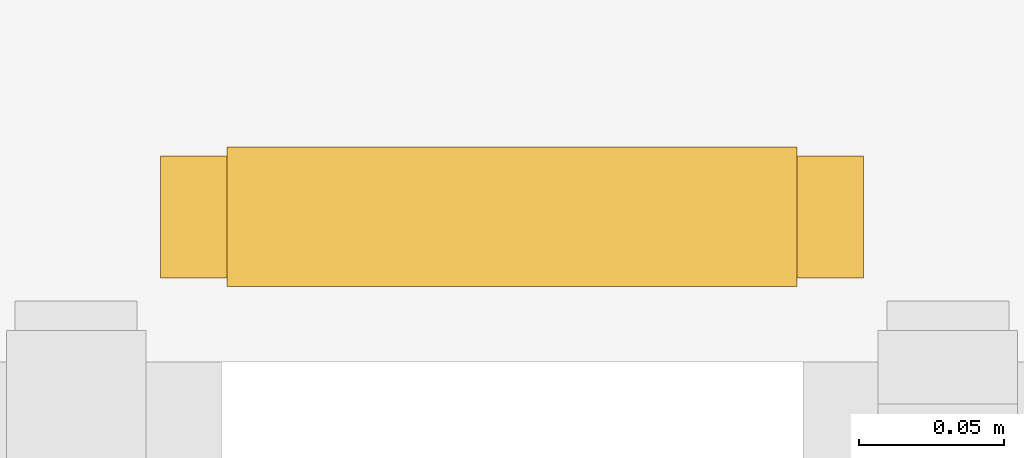
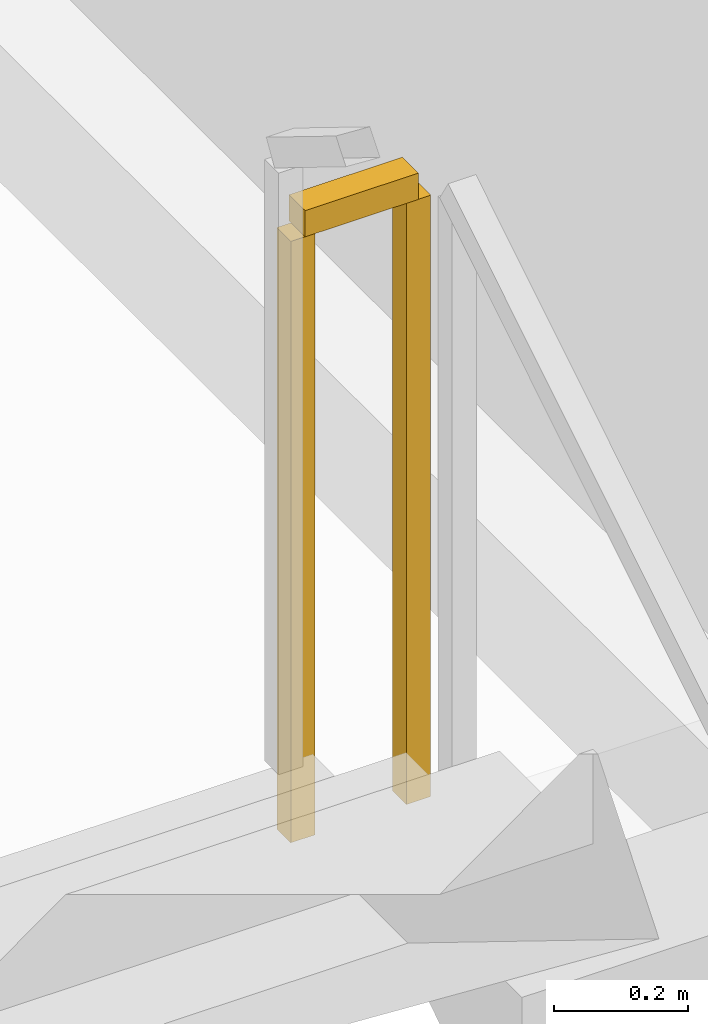
# One storey, part 27 of 27: 1 railing.
"""IFC4 building model written with IfcOpenShell, lengths in metres."""

from ifc_helpers import new_model, si_unit, direction, frame, origin, origin_2d, place, context, subcontext, project, spatial, rectangle, extrude, material, type_object, element, save


model = new_model("IFC4")

# Units and contexts
model_context = context("Model", 3, precision=1e-05, world=origin(), true_north=direction((0.0, 1.0)))
body_context = subcontext(model_context, "Body", "Model", "MODEL_VIEW")
ifc_project = project(units=[si_unit("LENGTHUNIT", "METRE"), si_unit("AREAUNIT", "SQUARE_METRE"), si_unit("VOLUMEUNIT", "CUBIC_METRE"), si_unit("PLANEANGLEUNIT", "RADIAN"), si_unit("MASSUNIT", "GRAM", prefix="KILO")], contexts=[model_context])

# Site, building, storey
site_placement = place(None, origin())
site = spatial("IfcSite", under=ifc_project, at=site_placement, CompositionType="ELEMENT")
building_placement = place(site_placement, origin())
building = spatial("IfcBuilding", under=site, at=building_placement, Name="Zuhravey Tower", CompositionType="ELEMENT")
storey_placement = place(building_placement, frame((0.0, 0.0, 188.39990234375)))
storey = spatial("IfcBuildingStorey", under=building, at=storey_placement, Name="L47", CompositionType="ELEMENT", Elevation=188.39990234375)

# Railing
ifc_material = material(Name="Painted tubular steel", Category="steel")
railing_type = type_object("IfcRailingType", Name="Stair Well Guardrail 1150", PredefinedType="GUARDRAIL", material=ifc_material)
railing_placement = place(storey_placement, frame((44.199951171875, 36.050048828125, 1.900146484375)))
element("IfcRailing", 1, at=railing_placement, inside=storey, type_object=railing_type, Name="L47 ST2 stair guard 2", PredefinedType="GUARDRAIL", context=body_context, shape_type="SweptSolid", body=[
    extrude(rectangle(XDim=0.048095703125, YDim=0.048095703125, at=origin_2d()), frame((-0.001953125, 0.0, 1.1259765625), z_axis=(-1.0, 0.0, 0.0), x_axis=(0.0, -1.0, 0.0)), (0.0, 0.0, 1.0), 0.196044921875),
    extrude(rectangle(XDim=0.0419921875, YDim=0.0419921875, at=origin_2d()), origin(), (0.0, 0.0, 1.0), 1.099853515625),
    extrude(rectangle(XDim=0.0419921875, YDim=0.0419921875, at=origin_2d()), frame((-0.199951171875, 0.0, 0.0)), (0.0, 0.0, 1.0), 1.099853515625),
])

save(model, "model.ifc")
